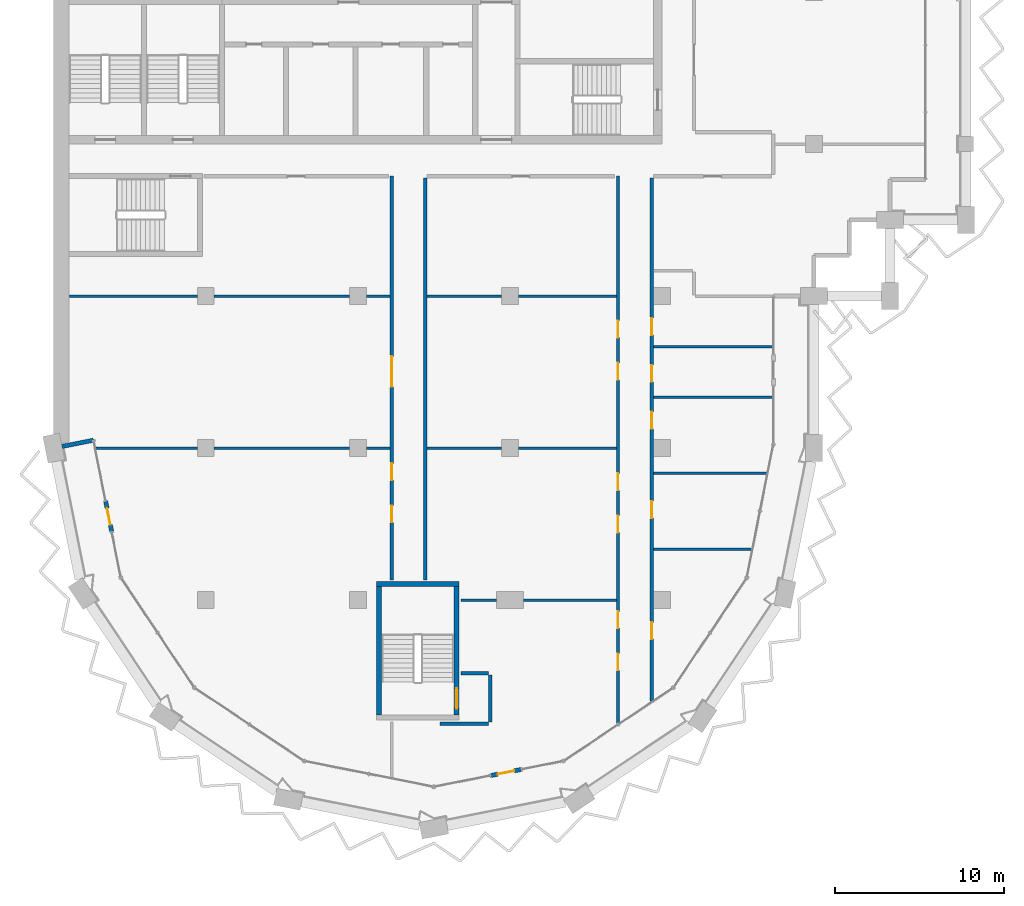
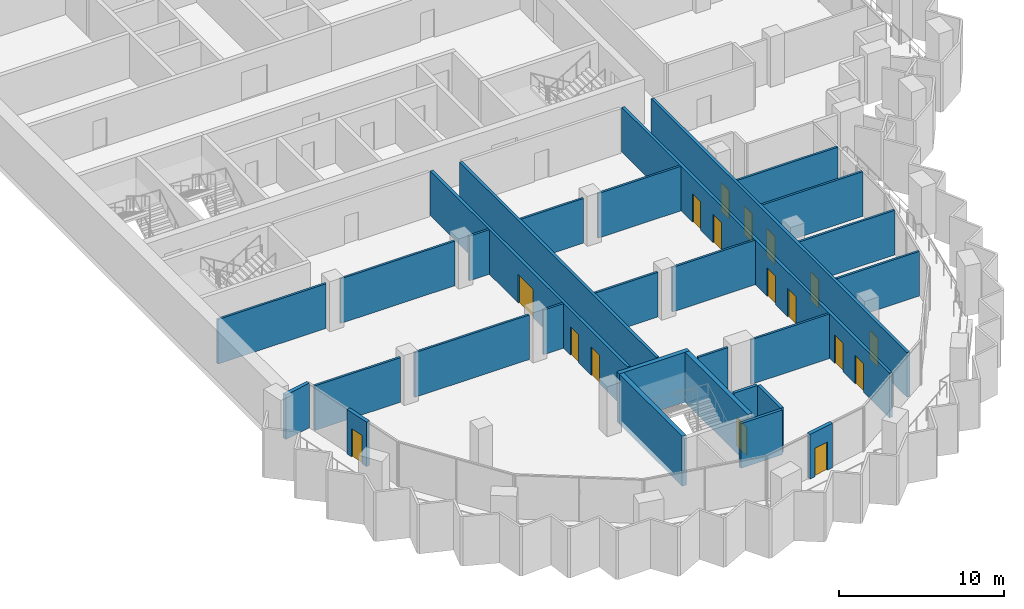
# One storey, part 7 of 16: 29 walls, 17 doors, 17 openings.
"""IFC4 building model written with IfcOpenShell, lengths in metres."""

from ifc_helpers import new_model, si_unit, direction, frame, frame_2d, origin, place, context, subcontext, project, spatial, rectangle, extrude, material, layer, layer_set, type_object, element, fill, save


model = new_model("IFC4")

# Units and contexts
model_context = context("Model", 3, precision=1e-05, world=origin(), true_north=direction((0.0, 1.0)))
body_context = subcontext(model_context, "Body", "Model", "MODEL_VIEW")
ifc_project = project(units=[si_unit("LENGTHUNIT", "METRE"), si_unit("AREAUNIT", "SQUARE_METRE"), si_unit("VOLUMEUNIT", "CUBIC_METRE"), si_unit("PLANEANGLEUNIT", "RADIAN"), si_unit("MASSUNIT", "GRAM", prefix="KILO")], contexts=[model_context])

# Site, building, storey
site_placement = place(None, origin())
site = spatial("IfcSite", under=ifc_project, at=site_placement, CompositionType="ELEMENT")
building_placement = place(site_placement, origin())
building = spatial("IfcBuilding", under=site, at=building_placement, Name="Hunhe Ridgeline Campus", CompositionType="ELEMENT")
storey_placement = place(building_placement, frame((0.0, 0.0, 254.0)))
storey = spatial("IfcBuildingStorey", under=building, at=storey_placement, Name="L65", CompositionType="ELEMENT", Elevation=254.0)

# Walls
ifc_material_1 = material(Name="Concrete C30", Category="concrete")
ifc_layer_1 = layer(ifc_material_1, 0.25)
ifc_layer_set_1 = layer_set([ifc_layer_1], Name="Corner return wall 250 Concrete C30")
wall_type_1 = type_object("IfcWallType", Name="Corner return wall 250 Concrete C30", PredefinedType="SOLIDWALL", material=ifc_layer_set_1)
wall_1_placement = place(storey_placement, frame((0.490234375, 45.098388671875, 0.0), z_axis=(0.0, 0.0, 1.0), x_axis=(0.980836699013, 0.194831644939, 0.0)))
element("IfcWall", 1, at=wall_1_placement, inside=storey, type_object=wall_type_1, Name="Corner return wall 1", PredefinedType="SOLIDWALL", context=body_context, shape_type="SweptSolid", body=[
    extrude(rectangle(XDim=1.90087890625, YDim=0.25, at=frame_2d((0.950439453125, 0.0))), origin(), (0.0, 0.0, 1.0), 3.300048828125),
])
ifc_material_2 = material(Name="Gypsum board partition")
ifc_layer_2 = layer(ifc_material_2, 0.199951171875)
ifc_layer_set_2 = layer_set([ifc_layer_2], Name="Corridor partition 200 gypsum board on steel studs")
wall_type_2 = type_object("IfcWallType", Name="Corridor partition 200 gypsum board on steel studs", PredefinedType="PARTITIONING", material=ifc_layer_set_2)
wall_2_placement = place(storey_placement, frame((25.75, 28.675048828125, 0.0), z_axis=(0.0, 0.0, 1.0), x_axis=(-1.0, 0.0, 0.0)))
element("IfcWall", 2, at=wall_2_placement, inside=storey, type_object=wall_type_2, Name="F-L65-wall-001", PredefinedType="PARTITIONING", context=body_context, shape_type="SweptSolid", body=[
    extrude(rectangle(XDim=2.89990234375, YDim=0.199951171875, at=frame_2d((1.449951171875, 0.0))), origin(), (0.0, 0.0, 1.0), 3.300048828125),
])
wall_3_placement = place(storey_placement, frame((24.10400390625, 31.675048828125, 0.0), z_axis=(0.0, 0.0, 1.0), x_axis=(1.0, 0.0, 0.0)))
element("IfcWall", 3, at=wall_3_placement, inside=storey, type_object=wall_type_2, Name="F-L65-wall-002", PredefinedType="PARTITIONING", context=body_context, shape_type="SweptSolid", body=[
    extrude(rectangle(XDim=1.64599609375, YDim=0.199951171875, at=frame_2d((0.822998046875, 0.0))), origin(), (0.0, 0.0, 1.0), 3.300048828125),
])

# Wall, openings, doors
wall_4_placement = place(storey_placement, frame((20.0, 37.2041015625, 0.0), z_axis=(0.0, 0.0, 1.0), x_axis=(0.0, 1.0, 0.0)))
wall_4 = element("IfcWall", 4, at=wall_4_placement, inside=storey, type_object=wall_type_2, Name="F-L65-wall-033", PredefinedType="PARTITIONING", context=body_context, shape_type="SweptSolid", body=[
    extrude(rectangle(XDim=23.89599609375, YDim=0.199951171875, at=frame_2d((11.947998046875, 0.0))), origin(), (0.0, 0.0, 1.0), 3.300048828125),
])
opening_1_placement = place(wall_4_placement, frame((3.398681640625, 0.0, 0.0)))
opening_1 = element("IfcOpeningElement", 5, at=opening_1_placement, cuts=wall_4, Name="Opening RD1-005", PredefinedType="OPENING", context=body_context, shape_type="SweptSolid", body=[
    extrude(rectangle(XDim=1.0, YDim=2.10009765625, at=frame_2d((0.5, 1.050048828125))), frame((0.0, 0.10009765625, 0.0), z_axis=(0.0, -1.0, 0.0), x_axis=(1.0, 0.0, 0.0)), (0.0, 0.0, 1.0), 0.199951171875),
])
opening_2_placement = place(wall_4_placement, frame((5.898681640625, 0.0, 0.0)))
opening_2 = element("IfcOpeningElement", 6, at=opening_2_placement, cuts=wall_4, Name="Opening RD1-008", PredefinedType="OPENING", context=body_context, shape_type="SweptSolid", body=[
    extrude(rectangle(XDim=1.0, YDim=2.10009765625, at=frame_2d((0.5, 1.050048828125))), frame((0.0, 0.10009765625, 0.0), z_axis=(0.0, -1.0, 0.0), x_axis=(1.0, 0.0, 0.0)), (0.0, 0.0, 1.0), 0.199951171875),
])
opening_3_placement = place(wall_4_placement, frame((11.42529296875, 0.0, 0.0)))
opening_3 = element("IfcOpeningElement", 7, at=opening_3_placement, cuts=wall_4, Name="Opening RD2-011", PredefinedType="OPENING", context=body_context, shape_type="SweptSolid", body=[
    extrude(rectangle(XDim=1.800048828125, YDim=2.10009765625, at=frame_2d((0.89990234375, 1.050048828125))), frame((0.0, 0.10009765625, 0.0), z_axis=(0.0, -1.0, 0.0), x_axis=(1.0, 0.0, 0.0)), (0.0, 0.0, 1.0), 0.199951171875),
])
ifc_material_3 = material(Name="Timber door leaf", Category="wood")
door_type_1 = type_object("IfcDoorType", Name="Double fire door 1800x2100 timber FD60", OperationType="DOUBLE_DOOR_SINGLE_SWING", PredefinedType="DOOR", material=ifc_material_3)
door_1_placement = place(opening_3_placement, origin())
door_1 = element("IfcDoor", 8, at=door_1_placement, inside=storey, type_object=door_type_1, Name="F-L65-door-011", OperationType="DOUBLE_DOOR_SINGLE_SWING", OverallHeight=2.10009765625, OverallWidth=1.800048828125, PredefinedType="DOOR", context=body_context, shape_type="SweptSolid", body=[
    extrude(rectangle(XDim=1.800048828125, YDim=2.10009765625, at=frame_2d((0.89990234375, 1.050048828125))), frame((0.0, 0.02490234375, 0.0), z_axis=(0.0, -1.0, 0.0), x_axis=(1.0, 0.0, 0.0)), (0.0, 0.0, 1.0), 0.050048828125),
])
fill(opening_3, door_1)
door_type_2 = type_object("IfcDoorType", Name="Single fire door 1000x2100 timber FD60", OperationType="NOTDEFINED", PredefinedType="DOOR", material=ifc_material_3)
door_2_placement = place(opening_1_placement, frame((1.0, 0.0, 0.0), z_axis=(0.0, 0.0, 1.0), x_axis=(-1.0, 0.0, 0.0)))
door_2 = element("IfcDoor", 9, at=door_2_placement, inside=storey, type_object=door_type_2, Name="F-L65-door-005", OperationType="SINGLE_SWING_LEFT", OverallHeight=2.10009765625, OverallWidth=1.0, PredefinedType="DOOR", context=body_context, shape_type="SweptSolid", body=[
    extrude(rectangle(XDim=1.0, YDim=2.10009765625, at=frame_2d((0.5, 1.050048828125))), frame((0.0, 0.02490234375, 0.0), z_axis=(0.0, -1.0, 0.0), x_axis=(1.0, 0.0, 0.0)), (0.0, 0.0, 1.0), 0.050048828125),
])
fill(opening_1, door_2)
door_3_placement = place(opening_2_placement, frame((1.0, 0.0, 0.0), z_axis=(0.0, 0.0, 1.0), x_axis=(-1.0, 0.0, 0.0)))
door_3 = element("IfcDoor", 10, at=door_3_placement, inside=storey, type_object=door_type_2, Name="F-L65-door-008", OperationType="SINGLE_SWING_LEFT", OverallHeight=2.10009765625, OverallWidth=1.0, PredefinedType="DOOR", context=body_context, shape_type="SweptSolid", body=[
    extrude(rectangle(XDim=1.0, YDim=2.10009765625, at=frame_2d((0.5, 1.050048828125))), frame((0.0, 0.02490234375, 0.0), z_axis=(0.0, -1.0, 0.0), x_axis=(1.0, 0.0, 0.0)), (0.0, 0.0, 1.0), 0.050048828125),
])
fill(opening_2, door_3)

# Walls
wall_5_placement = place(storey_placement, frame((22.0, 61.0, 0.0), z_axis=(0.0, 0.0, 1.0), x_axis=(0.0, -1.0, 0.0)))
element("IfcWall", 11, at=wall_5_placement, inside=storey, type_object=wall_type_2, Name="F-L65-wall-034", PredefinedType="PARTITIONING", context=body_context, shape_type="SweptSolid", body=[
    extrude(rectangle(XDim=23.7958984375, YDim=0.199951171875, at=frame_2d((11.89794921875, 0.0))), origin(), (0.0, 0.0, 1.0), 3.300048828125),
])
wall_6_placement = place(storey_placement, frame((25.85009765625, 31.574951171875, 0.0), z_axis=(0.0, 0.0, 1.0), x_axis=(0.0, -1.0, 0.0)))
element("IfcWall", 12, at=wall_6_placement, inside=storey, type_object=wall_type_2, Name="F-L65-wall-035", PredefinedType="PARTITIONING", context=body_context, shape_type="SweptSolid", body=[
    extrude(rectangle(XDim=2.800048828125, YDim=0.199951171875, at=frame_2d((1.39990234375, 0.0))), origin(), (0.0, 0.0, 1.0), 3.300048828125),
])

# Wall, openings, doors
wall_7_placement = place(storey_placement, frame((33.39990234375, 28.6953125, 0.0), z_axis=(0.0, 0.0, 1.0), x_axis=(0.0, 1.0, 0.0)))
wall_7 = element("IfcWall", 13, at=wall_7_placement, inside=storey, type_object=wall_type_2, Name="F-L65-wall-036", PredefinedType="PARTITIONING", context=body_context, shape_type="SweptSolid", body=[
    extrude(rectangle(XDim=32.40478515625, YDim=0.199951171875, at=frame_2d((16.202392578125, 0.0))), origin(), (0.0, 0.0, 1.0), 3.300048828125),
])
opening_4_placement = place(wall_7_placement, frame((3.142333984375, 0.0, 0.0)))
opening_4 = element("IfcOpeningElement", 14, at=opening_4_placement, cuts=wall_7, Name="Opening RD1-001", PredefinedType="OPENING", context=body_context, shape_type="SweptSolid", body=[
    extrude(rectangle(XDim=1.0, YDim=2.10009765625, at=frame_2d((0.5, 1.050048828125))), frame((0.0, 0.10009765625, 0.0), z_axis=(0.0, -1.0, 0.0), x_axis=(1.0, 0.0, 0.0)), (0.0, 0.0, 1.0), 0.199951171875),
])
opening_5_placement = place(wall_7_placement, frame((5.642333984375, 0.0, 0.0)))
opening_5 = element("IfcOpeningElement", 15, at=opening_5_placement, cuts=wall_7, Name="Opening RD1-003", PredefinedType="OPENING", context=body_context, shape_type="SweptSolid", body=[
    extrude(rectangle(XDim=1.0, YDim=2.10009765625, at=frame_2d((0.5, 1.050048828125))), frame((0.0, 0.10009765625, 0.0), z_axis=(0.0, -1.0, 0.0), x_axis=(1.0, 0.0, 0.0)), (0.0, 0.0, 1.0), 0.199951171875),
])
opening_6_placement = place(wall_7_placement, frame((11.306396484375, 0.0, 0.0)))
opening_6 = element("IfcOpeningElement", 16, at=opening_6_placement, cuts=wall_7, Name="Opening RD1-004", PredefinedType="OPENING", context=body_context, shape_type="SweptSolid", body=[
    extrude(rectangle(XDim=1.0, YDim=2.10009765625, at=frame_2d((0.5, 1.050048828125))), frame((0.0, 0.10009765625, 0.0), z_axis=(0.0, -1.0, 0.0), x_axis=(1.0, 0.0, 0.0)), (0.0, 0.0, 1.0), 0.199951171875),
])
opening_7_placement = place(wall_7_placement, frame((13.806396484375, 0.0, 0.0)))
opening_7 = element("IfcOpeningElement", 17, at=opening_7_placement, cuts=wall_7, Name="Opening RD1-007", PredefinedType="OPENING", context=body_context, shape_type="SweptSolid", body=[
    extrude(rectangle(XDim=1.0, YDim=2.10009765625, at=frame_2d((0.5, 1.050048828125))), frame((0.0, 0.10009765625, 0.0), z_axis=(0.0, -1.0, 0.0), x_axis=(1.0, 0.0, 0.0)), (0.0, 0.0, 1.0), 0.199951171875),
])
opening_8_placement = place(wall_7_placement, frame((20.349609375, 0.0, 0.0)))
opening_8 = element("IfcOpeningElement", 18, at=opening_8_placement, cuts=wall_7, Name="Opening RD1-012", PredefinedType="OPENING", context=body_context, shape_type="SweptSolid", body=[
    extrude(rectangle(XDim=1.0, YDim=2.10009765625, at=frame_2d((0.5, 1.050048828125))), frame((0.0, 0.10009765625, 0.0), z_axis=(0.0, -1.0, 0.0), x_axis=(1.0, 0.0, 0.0)), (0.0, 0.0, 1.0), 0.199951171875),
])
opening_9_placement = place(wall_7_placement, frame((22.849609375, 0.0, 0.0)))
opening_9 = element("IfcOpeningElement", 19, at=opening_9_placement, cuts=wall_7, Name="Opening RD1-013", PredefinedType="OPENING", context=body_context, shape_type="SweptSolid", body=[
    extrude(rectangle(XDim=1.0, YDim=2.10009765625, at=frame_2d((0.5, 1.050048828125))), frame((0.0, 0.10009765625, 0.0), z_axis=(0.0, -1.0, 0.0), x_axis=(1.0, 0.0, 0.0)), (0.0, 0.0, 1.0), 0.199951171875),
])
door_4_placement = place(opening_4_placement, frame((1.0, 0.0, 0.0), z_axis=(0.0, 0.0, 1.0), x_axis=(-1.0, 0.0, 0.0)))
door_4 = element("IfcDoor", 20, at=door_4_placement, inside=storey, type_object=door_type_2, Name="F-L65-door-001", OperationType="SINGLE_SWING_LEFT", OverallHeight=2.10009765625, OverallWidth=1.0, PredefinedType="DOOR", context=body_context, shape_type="SweptSolid", body=[
    extrude(rectangle(XDim=1.0, YDim=2.10009765625, at=frame_2d((0.5, 1.050048828125))), frame((0.0, 0.02490234375, 0.0), z_axis=(0.0, -1.0, 0.0), x_axis=(1.0, 0.0, 0.0)), (0.0, 0.0, 1.0), 0.050048828125),
])
fill(opening_4, door_4)
door_5_placement = place(opening_5_placement, frame((1.0, 0.0, 0.0), z_axis=(0.0, 0.0, 1.0), x_axis=(-1.0, 0.0, 0.0)))
door_5 = element("IfcDoor", 21, at=door_5_placement, inside=storey, type_object=door_type_2, Name="F-L65-door-003", OperationType="SINGLE_SWING_LEFT", OverallHeight=2.10009765625, OverallWidth=1.0, PredefinedType="DOOR", context=body_context, shape_type="SweptSolid", body=[
    extrude(rectangle(XDim=1.0, YDim=2.10009765625, at=frame_2d((0.5, 1.050048828125))), frame((0.0, 0.02490234375, 0.0), z_axis=(0.0, -1.0, 0.0), x_axis=(1.0, 0.0, 0.0)), (0.0, 0.0, 1.0), 0.050048828125),
])
fill(opening_5, door_5)
door_6_placement = place(opening_6_placement, frame((1.0, 0.0, 0.0), z_axis=(0.0, 0.0, 1.0), x_axis=(-1.0, 0.0, 0.0)))
door_6 = element("IfcDoor", 22, at=door_6_placement, inside=storey, type_object=door_type_2, Name="F-L65-door-004", OperationType="SINGLE_SWING_RIGHT", OverallHeight=2.10009765625, OverallWidth=1.0, PredefinedType="DOOR", context=body_context, shape_type="SweptSolid", body=[
    extrude(rectangle(XDim=1.0, YDim=2.10009765625, at=frame_2d((0.5, 1.050048828125))), frame((0.0, 0.02490234375, 0.0), z_axis=(0.0, -1.0, 0.0), x_axis=(1.0, 0.0, 0.0)), (0.0, 0.0, 1.0), 0.050048828125),
])
fill(opening_6, door_6)
door_7_placement = place(opening_7_placement, frame((1.0, 0.0, 0.0), z_axis=(0.0, 0.0, 1.0), x_axis=(-1.0, 0.0, 0.0)))
door_7 = element("IfcDoor", 23, at=door_7_placement, inside=storey, type_object=door_type_2, Name="F-L65-door-007", OperationType="SINGLE_SWING_LEFT", OverallHeight=2.10009765625, OverallWidth=1.0, PredefinedType="DOOR", context=body_context, shape_type="SweptSolid", body=[
    extrude(rectangle(XDim=1.0, YDim=2.10009765625, at=frame_2d((0.5, 1.050048828125))), frame((0.0, 0.02490234375, 0.0), z_axis=(0.0, -1.0, 0.0), x_axis=(1.0, 0.0, 0.0)), (0.0, 0.0, 1.0), 0.050048828125),
])
fill(opening_7, door_7)
door_8_placement = place(opening_8_placement, frame((1.0, 0.0, 0.0), z_axis=(0.0, 0.0, 1.0), x_axis=(-1.0, 0.0, 0.0)))
door_8 = element("IfcDoor", 24, at=door_8_placement, inside=storey, type_object=door_type_2, Name="F-L65-door-012", OperationType="SINGLE_SWING_LEFT", OverallHeight=2.10009765625, OverallWidth=1.0, PredefinedType="DOOR", context=body_context, shape_type="SweptSolid", body=[
    extrude(rectangle(XDim=1.0, YDim=2.10009765625, at=frame_2d((0.5, 1.050048828125))), frame((0.0, 0.02490234375, 0.0), z_axis=(0.0, -1.0, 0.0), x_axis=(1.0, 0.0, 0.0)), (0.0, 0.0, 1.0), 0.050048828125),
])
fill(opening_8, door_8)
door_9_placement = place(opening_9_placement, frame((1.0, 0.0, 0.0), z_axis=(0.0, 0.0, 1.0), x_axis=(-1.0, 0.0, 0.0)))
door_9 = element("IfcDoor", 25, at=door_9_placement, inside=storey, type_object=door_type_2, Name="F-L65-door-013", OperationType="SINGLE_SWING_LEFT", OverallHeight=2.10009765625, OverallWidth=1.0, PredefinedType="DOOR", context=body_context, shape_type="SweptSolid", body=[
    extrude(rectangle(XDim=1.0, YDim=2.10009765625, at=frame_2d((0.5, 1.050048828125))), frame((0.0, 0.02490234375, 0.0), z_axis=(0.0, -1.0, 0.0), x_axis=(1.0, 0.0, 0.0)), (0.0, 0.0, 1.0), 0.050048828125),
])
fill(opening_9, door_9)

wall_8_placement = place(storey_placement, frame((35.39990234375, 61.0, 0.0), z_axis=(0.0, 0.0, 1.0), x_axis=(0.0, -1.0, 0.0)))
wall_8 = element("IfcWall", 26, at=wall_8_placement, inside=storey, type_object=wall_type_2, Name="F-L65-wall-037", PredefinedType="PARTITIONING", context=body_context, shape_type="SweptSolid", body=[
    extrude(rectangle(XDim=30.968505859375, YDim=0.199951171875, at=frame_2d((15.484375, 0.0))), origin(), (0.0, 0.0, 1.0), 3.300048828125),
])
opening_10_placement = place(wall_8_placement, frame((26.310546875, 0.0, 0.0)))
opening_10 = element("IfcOpeningElement", 27, at=opening_10_placement, cuts=wall_8, Name="Opening RD1-002", PredefinedType="OPENING", context=body_context, shape_type="SweptSolid", body=[
    extrude(rectangle(XDim=1.0, YDim=2.10009765625, at=frame_2d((0.5, 1.050048828125))), frame((0.0, 0.10009765625, 0.0), z_axis=(0.0, -1.0, 0.0), x_axis=(1.0, 0.0, 0.0)), (0.0, 0.0, 1.0), 0.199951171875),
])
opening_11_placement = place(wall_8_placement, frame((19.138427734375, 0.0, 0.0)))
opening_11 = element("IfcOpeningElement", 28, at=opening_11_placement, cuts=wall_8, Name="Opening RD1-006", PredefinedType="OPENING", context=body_context, shape_type="SweptSolid", body=[
    extrude(rectangle(XDim=1.0, YDim=2.10009765625, at=frame_2d((0.5, 1.050048828125))), frame((0.0, 0.10009765625, 0.0), z_axis=(0.0, -1.0, 0.0), x_axis=(1.0, 0.0, 0.0)), (0.0, 0.0, 1.0), 0.199951171875),
])
opening_12_placement = place(wall_8_placement, frame((13.8583984375, 0.0, 0.0)))
opening_12 = element("IfcOpeningElement", 29, at=opening_12_placement, cuts=wall_8, Name="Opening RD1-009", PredefinedType="OPENING", context=body_context, shape_type="SweptSolid", body=[
    extrude(rectangle(XDim=1.0, YDim=2.10009765625, at=frame_2d((0.5, 1.050048828125))), frame((0.0, 0.10009765625, 0.0), z_axis=(0.0, -1.0, 0.0), x_axis=(1.0, 0.0, 0.0)), (0.0, 0.0, 1.0), 0.199951171875),
])
opening_13_placement = place(wall_8_placement, frame((11.081787109375, 0.0, 0.0)))
opening_13 = element("IfcOpeningElement", 30, at=opening_13_placement, cuts=wall_8, Name="Opening RD1-010", PredefinedType="OPENING", context=body_context, shape_type="SweptSolid", body=[
    extrude(rectangle(XDim=1.0, YDim=2.10009765625, at=frame_2d((0.5, 1.050048828125))), frame((0.0, 0.10009765625, 0.0), z_axis=(0.0, -1.0, 0.0), x_axis=(1.0, 0.0, 0.0)), (0.0, 0.0, 1.0), 0.199951171875),
])
opening_14_placement = place(wall_8_placement, frame((8.30517578125, 0.0, 0.0)))
opening_14 = element("IfcOpeningElement", 31, at=opening_14_placement, cuts=wall_8, Name="Opening RD1-014", PredefinedType="OPENING", context=body_context, shape_type="SweptSolid", body=[
    extrude(rectangle(XDim=1.0, YDim=2.10009765625, at=frame_2d((0.5, 1.050048828125))), frame((0.0, 0.10009765625, 0.0), z_axis=(0.0, -1.0, 0.0), x_axis=(1.0, 0.0, 0.0)), (0.0, 0.0, 1.0), 0.199951171875),
])
door_10_placement = place(opening_10_placement, origin())
door_10 = element("IfcDoor", 32, at=door_10_placement, inside=storey, type_object=door_type_2, Name="F-L65-door-002", OperationType="SINGLE_SWING_RIGHT", OverallHeight=2.10009765625, OverallWidth=1.0, PredefinedType="DOOR", context=body_context, shape_type="SweptSolid", body=[
    extrude(rectangle(XDim=1.0, YDim=2.10009765625, at=frame_2d((0.5, 1.050048828125))), frame((0.0, 0.02490234375, 0.0), z_axis=(0.0, -1.0, 0.0), x_axis=(1.0, 0.0, 0.0)), (0.0, 0.0, 1.0), 0.050048828125),
])
fill(opening_10, door_10)
door_11_placement = place(opening_11_placement, origin())
door_11 = element("IfcDoor", 33, at=door_11_placement, inside=storey, type_object=door_type_2, Name="F-L65-door-006", OperationType="SINGLE_SWING_LEFT", OverallHeight=2.10009765625, OverallWidth=1.0, PredefinedType="DOOR", context=body_context, shape_type="SweptSolid", body=[
    extrude(rectangle(XDim=1.0, YDim=2.10009765625, at=frame_2d((0.5, 1.050048828125))), frame((0.0, 0.02490234375, 0.0), z_axis=(0.0, -1.0, 0.0), x_axis=(1.0, 0.0, 0.0)), (0.0, 0.0, 1.0), 0.050048828125),
])
fill(opening_11, door_11)
door_12_placement = place(opening_12_placement, origin())
door_12 = element("IfcDoor", 34, at=door_12_placement, inside=storey, type_object=door_type_2, Name="F-L65-door-009", OperationType="SINGLE_SWING_LEFT", OverallHeight=2.10009765625, OverallWidth=1.0, PredefinedType="DOOR", context=body_context, shape_type="SweptSolid", body=[
    extrude(rectangle(XDim=1.0, YDim=2.10009765625, at=frame_2d((0.5, 1.050048828125))), frame((0.0, 0.02490234375, 0.0), z_axis=(0.0, -1.0, 0.0), x_axis=(1.0, 0.0, 0.0)), (0.0, 0.0, 1.0), 0.050048828125),
])
fill(opening_12, door_12)
door_13_placement = place(opening_13_placement, origin())
door_13 = element("IfcDoor", 35, at=door_13_placement, inside=storey, type_object=door_type_2, Name="F-L65-door-010", OperationType="SINGLE_SWING_LEFT", OverallHeight=2.10009765625, OverallWidth=1.0, PredefinedType="DOOR", context=body_context, shape_type="SweptSolid", body=[
    extrude(rectangle(XDim=1.0, YDim=2.10009765625, at=frame_2d((0.5, 1.050048828125))), frame((0.0, 0.02490234375, 0.0), z_axis=(0.0, -1.0, 0.0), x_axis=(1.0, 0.0, 0.0)), (0.0, 0.0, 1.0), 0.050048828125),
])
fill(opening_13, door_13)
door_14_placement = place(opening_14_placement, origin())
door_14 = element("IfcDoor", 36, at=door_14_placement, inside=storey, type_object=door_type_2, Name="F-L65-door-014", OperationType="SINGLE_SWING_RIGHT", OverallHeight=2.10009765625, OverallWidth=1.0, PredefinedType="DOOR", context=body_context, shape_type="SweptSolid", body=[
    extrude(rectangle(XDim=1.0, YDim=2.10009765625, at=frame_2d((0.5, 1.050048828125))), frame((0.0, 0.02490234375, 0.0), z_axis=(0.0, -1.0, 0.0), x_axis=(1.0, 0.0, 0.0)), (0.0, 0.0, 1.0), 0.050048828125),
])
fill(opening_14, door_14)

# Wall, opening, door
ifc_layer_3 = layer(ifc_material_1, 0.25)
ifc_layer_set_3 = layer_set([ifc_layer_3], Name="Loggia door pier wall 250 Concrete C30")
wall_type_3 = type_object("IfcWallType", Name="Loggia door pier wall 250 Concrete C30", PredefinedType="SOLIDWALL", material=ifc_layer_set_3)
wall_9_placement = place(storey_placement, frame((3.076904296875, 41.8388671875, 0.0), z_axis=(0.0, 0.0, 1.0), x_axis=(0.195046569833, -0.980793982239, 0.0)))
wall_9 = element("IfcWall", 37, at=wall_9_placement, inside=storey, type_object=wall_type_3, Name="Loggia door pier 1", PredefinedType="SOLIDWALL", context=body_context, shape_type="SweptSolid", body=[
    extrude(rectangle(XDim=1.800048828125, YDim=0.25, at=frame_2d((0.89990234375, 0.0))), origin(), (0.0, 0.0, 1.0), 3.300048828125),
])
opening_15_placement = place(wall_9_placement, frame((0.39990234375, 0.0, 0.0)))
opening_15 = element("IfcOpeningElement", 38, at=opening_15_placement, cuts=wall_9, Name="Opening BD501", PredefinedType="OPENING", context=body_context, shape_type="SweptSolid", body=[
    extrude(rectangle(XDim=1.0, YDim=2.10009765625, at=frame_2d((0.5, 1.050048828125))), frame((0.0, 0.125, 0.0), z_axis=(0.0, -1.0, 0.0), x_axis=(1.0, 0.0, 0.0)), (0.0, 0.0, 1.0), 0.25),
])
ifc_material_4 = material(Name="Aluminium 6063", Category="aluminium")
door_type_3 = type_object("IfcDoorType", Name="Loggia glazed door 1000x2100", OperationType="NOTDEFINED", PredefinedType="DOOR", material=ifc_material_4)
door_15_placement = place(opening_15_placement, frame((1.0, 0.0, 0.0), z_axis=(0.0, 0.0, 1.0), x_axis=(-1.0, 0.0, 0.0)))
door_15 = element("IfcDoor", 39, at=door_15_placement, inside=storey, type_object=door_type_3, Name="Loggia door BD501", OperationType="SINGLE_SWING_RIGHT", OverallHeight=2.10009765625, OverallWidth=1.0, PredefinedType="DOOR", context=body_context, shape_type="SweptSolid", body=[
    extrude(rectangle(XDim=1.0, YDim=2.10009765625, at=frame_2d((0.5, 1.050048828125))), frame((0.0, 0.02490234375, 0.0), z_axis=(0.0, -1.0, 0.0), x_axis=(1.0, 0.0, 0.0)), (0.0, 0.0, 1.0), 0.050048828125),
])
fill(opening_15, door_15)

wall_10_placement = place(storey_placement, frame((25.8955078125, 25.62353515625, 0.0), z_axis=(0.0, 0.0, 1.0), x_axis=(0.980793982239, 0.195046569833, 0.0)))
wall_10 = element("IfcWall", 40, at=wall_10_placement, inside=storey, type_object=wall_type_3, Name="Loggia door pier 2", PredefinedType="SOLIDWALL", context=body_context, shape_type="SweptSolid", body=[
    extrude(rectangle(XDim=1.800048828125, YDim=0.25, at=frame_2d((0.89990234375, 0.0))), origin(), (0.0, 0.0, 1.0), 3.300048828125),
])
opening_16_placement = place(wall_10_placement, frame((0.39990234375, 0.0, 0.0)))
opening_16 = element("IfcOpeningElement", 41, at=opening_16_placement, cuts=wall_10, Name="Opening BD503", PredefinedType="OPENING", context=body_context, shape_type="SweptSolid", body=[
    extrude(rectangle(XDim=1.0, YDim=2.10009765625, at=frame_2d((0.5, 1.050048828125))), frame((0.0, 0.125, 0.0), z_axis=(0.0, -1.0, 0.0), x_axis=(1.0, 0.0, 0.0)), (0.0, 0.0, 1.0), 0.25),
])
door_16_placement = place(opening_16_placement, frame((1.0, 0.0, 0.0), z_axis=(0.0, 0.0, 1.0), x_axis=(-1.0, 0.0, 0.0)))
door_16 = element("IfcDoor", 42, at=door_16_placement, inside=storey, type_object=door_type_3, Name="Loggia door BD503", OperationType="SINGLE_SWING_RIGHT", OverallHeight=2.10009765625, OverallWidth=1.0, PredefinedType="DOOR", context=body_context, shape_type="SweptSolid", body=[
    extrude(rectangle(XDim=1.0, YDim=2.10009765625, at=frame_2d((0.5, 1.050048828125))), frame((0.0, 0.02490234375, 0.0), z_axis=(0.0, -1.0, 0.0), x_axis=(1.0, 0.0, 0.0)), (0.0, 0.0, 1.0), 0.050048828125),
])
fill(opening_16, door_16)

# Walls
ifc_layer_4 = layer(ifc_material_2, 0.14990234375)
ifc_layer_set_4 = layer_set([ifc_layer_4], Name="Room partition 150 gypsum board on steel studs")
wall_type_4 = type_object("IfcWallType", Name="Room partition 150 gypsum board on steel studs", PredefinedType="PARTITIONING", material=ifc_layer_set_4)
wall_11_placement = place(storey_placement, frame((24.10400390625, 36.0, 0.0), z_axis=(0.0, 0.0, 1.0), x_axis=(1.0, 0.0, 0.0)))
element("IfcWall", 43, at=wall_11_placement, inside=storey, type_object=wall_type_4, Name="F-L65-wall-003", PredefinedType="PARTITIONING", context=body_context, shape_type="SweptSolid", body=[
    extrude(rectangle(XDim=2.095947265625, YDim=0.14990234375, at=frame_2d((1.0478515625, 0.0))), origin(), (0.0, 0.0, 1.0), 3.300048828125),
])
wall_12_placement = place(storey_placement, frame((27.800048828125, 36.0, 0.0), z_axis=(0.0, 0.0, 1.0), x_axis=(1.0, 0.0, 0.0)))
element("IfcWall", 44, at=wall_12_placement, inside=storey, type_object=wall_type_4, Name="F-L65-wall-004", PredefinedType="PARTITIONING", context=body_context, shape_type="SweptSolid", body=[
    extrude(rectangle(XDim=5.5, YDim=0.14990234375, at=frame_2d((2.75, 0.0))), origin(), (0.0, 0.0, 1.0), 3.300048828125),
])
wall_13_placement = place(storey_placement, frame((35.5, 39.0, 0.0), z_axis=(0.0, 0.0, 1.0), x_axis=(1.0, 0.0, 0.0)))
element("IfcWall", 45, at=wall_13_placement, inside=storey, type_object=wall_type_4, Name="F-L65-wall-005", PredefinedType="PARTITIONING", context=body_context, shape_type="SweptSolid", body=[
    extrude(rectangle(XDim=5.803466796875, YDim=0.14990234375, at=frame_2d((2.90185546875, 0.0))), origin(), (0.0, 0.0, 1.0), 3.300048828125),
])
wall_14_placement = place(storey_placement, frame((35.5, 43.5, 0.0), z_axis=(0.0, 0.0, 1.0), x_axis=(1.0, 0.0, 0.0)))
element("IfcWall", 46, at=wall_14_placement, inside=storey, type_object=wall_type_4, Name="F-L65-wall-006", PredefinedType="PARTITIONING", context=body_context, shape_type="SweptSolid", body=[
    extrude(rectangle(XDim=6.698486328125, YDim=0.14990234375, at=frame_2d((3.34912109375, 0.0))), origin(), (0.0, 0.0, 1.0), 3.300048828125),
])
wall_15_placement = place(storey_placement, frame((2.503173828125, 45.0, 0.0), z_axis=(0.0, 0.0, 1.0), x_axis=(1.0, 0.0, 0.0)))
element("IfcWall", 47, at=wall_15_placement, inside=storey, type_object=wall_type_4, Name="F-L65-wall-007", PredefinedType="PARTITIONING", context=body_context, shape_type="SweptSolid", body=[
    extrude(rectangle(XDim=5.996826171875, YDim=0.14990234375, at=frame_2d((2.99853515625, 0.0))), origin(), (0.0, 0.0, 1.0), 3.300048828125),
])
wall_16_placement = place(storey_placement, frame((9.5, 45.0, 0.0), z_axis=(0.0, 0.0, 1.0), x_axis=(1.0, 0.0, 0.0)))
element("IfcWall", 48, at=wall_16_placement, inside=storey, type_object=wall_type_4, Name="F-L65-wall-008", PredefinedType="PARTITIONING", context=body_context, shape_type="SweptSolid", body=[
    extrude(rectangle(XDim=8.0, YDim=0.14990234375, at=frame_2d((4.0, 0.0))), origin(), (0.0, 0.0, 1.0), 3.300048828125),
])
wall_17_placement = place(storey_placement, frame((18.5, 45.0, 0.0), z_axis=(0.0, 0.0, 1.0), x_axis=(1.0, 0.0, 0.0)))
element("IfcWall", 49, at=wall_17_placement, inside=storey, type_object=wall_type_4, Name="F-L65-wall-009", PredefinedType="PARTITIONING", context=body_context, shape_type="SweptSolid", body=[
    extrude(rectangle(XDim=1.39990234375, YDim=0.14990234375, at=frame_2d((0.699951171875, 0.0))), origin(), (0.0, 0.0, 1.0), 3.300048828125),
])
wall_18_placement = place(storey_placement, frame((22.10009765625, 45.0, 0.0), z_axis=(0.0, 0.0, 1.0), x_axis=(1.0, 0.0, 0.0)))
element("IfcWall", 50, at=wall_18_placement, inside=storey, type_object=wall_type_4, Name="F-L65-wall-010", PredefinedType="PARTITIONING", context=body_context, shape_type="SweptSolid", body=[
    extrude(rectangle(XDim=4.39990234375, YDim=0.14990234375, at=frame_2d((2.199951171875, 0.0))), origin(), (0.0, 0.0, 1.0), 3.300048828125),
])
wall_19_placement = place(storey_placement, frame((27.5, 45.0, 0.0), z_axis=(0.0, 0.0, 1.0), x_axis=(1.0, 0.0, 0.0)))
element("IfcWall", 51, at=wall_19_placement, inside=storey, type_object=wall_type_4, Name="F-L65-wall-011", PredefinedType="PARTITIONING", context=body_context, shape_type="SweptSolid", body=[
    extrude(rectangle(XDim=5.800048828125, YDim=0.14990234375, at=frame_2d((2.89990234375, 0.0))), origin(), (0.0, 0.0, 1.0), 3.300048828125),
])
for number, where, z_axis, x_axis, name in (
    (52, (35.5, 48.0, 0.0), (0.0, 0.0, 1.0), (1.0, 0.0, 0.0), "F-L65-wall-012"),
    (53, (35.5, 51.0, 0.0), (0.0, 0.0, 1.0), (1.0, 0.0, 0.0), "F-L65-wall-013"),
):
    element("IfcWall", number, at=place(storey_placement, frame(where, z_axis=z_axis, x_axis=x_axis)), inside=storey, type_object=wall_type_4, Name=name, PredefinedType="PARTITIONING", context=body_context, shape_type="SweptSolid", body=[
        extrude(rectangle(XDim=7.045166015625, YDim=0.14990234375, at=frame_2d((3.5224609375, 0.0))), origin(), (0.0, 0.0, 1.0), 3.300048828125),
    ])
wall_20_placement = place(storey_placement, frame((0.919921875, 54.0, 0.0), z_axis=(0.0, 0.0, 1.0), x_axis=(1.0, 0.0, 0.0)))
element("IfcWall", 54, at=wall_20_placement, inside=storey, type_object=wall_type_4, Name="F-L65-wall-014", PredefinedType="PARTITIONING", context=body_context, shape_type="SweptSolid", body=[
    extrude(rectangle(XDim=7.580078125, YDim=0.14990234375, at=frame_2d((3.7900390625, 0.0))), origin(), (0.0, 0.0, 1.0), 3.300048828125),
])
wall_21_placement = place(storey_placement, frame((9.5, 54.0, 0.0), z_axis=(0.0, 0.0, 1.0), x_axis=(1.0, 0.0, 0.0)))
element("IfcWall", 55, at=wall_21_placement, inside=storey, type_object=wall_type_4, Name="F-L65-wall-015", PredefinedType="PARTITIONING", context=body_context, shape_type="SweptSolid", body=[
    extrude(rectangle(XDim=8.0, YDim=0.14990234375, at=frame_2d((4.0, 0.0))), origin(), (0.0, 0.0, 1.0), 3.300048828125),
])
wall_22_placement = place(storey_placement, frame((18.5, 54.0, 0.0), z_axis=(0.0, 0.0, 1.0), x_axis=(1.0, 0.0, 0.0)))
element("IfcWall", 56, at=wall_22_placement, inside=storey, type_object=wall_type_4, Name="F-L65-wall-016", PredefinedType="PARTITIONING", context=body_context, shape_type="SweptSolid", body=[
    extrude(rectangle(XDim=1.39990234375, YDim=0.14990234375, at=frame_2d((0.699951171875, 0.0))), origin(), (0.0, 0.0, 1.0), 3.300048828125),
])
wall_23_placement = place(storey_placement, frame((22.10009765625, 54.0, 0.0), z_axis=(0.0, 0.0, 1.0), x_axis=(1.0, 0.0, 0.0)))
element("IfcWall", 57, at=wall_23_placement, inside=storey, type_object=wall_type_4, Name="F-L65-wall-017", PredefinedType="PARTITIONING", context=body_context, shape_type="SweptSolid", body=[
    extrude(rectangle(XDim=4.39990234375, YDim=0.14990234375, at=frame_2d((2.199951171875, 0.0))), origin(), (0.0, 0.0, 1.0), 3.300048828125),
])
wall_24_placement = place(storey_placement, frame((27.5, 54.0, 0.0), z_axis=(0.0, 0.0, 1.0), x_axis=(1.0, 0.0, 0.0)))
element("IfcWall", 58, at=wall_24_placement, inside=storey, type_object=wall_type_4, Name="F-L65-wall-018", PredefinedType="PARTITIONING", context=body_context, shape_type="SweptSolid", body=[
    extrude(rectangle(XDim=5.800048828125, YDim=0.14990234375, at=frame_2d((2.89990234375, 0.0))), origin(), (0.0, 0.0, 1.0), 3.300048828125),
])
ifc_material_5 = material(Name="Concrete C50", Category="concrete")
ifc_layer_5 = layer(ifc_material_5, 0.300048828125)
ifc_layer_set_5 = layer_set([ifc_layer_5], Name="Stair wall 300 reinforced concrete C50")
wall_type_5 = type_object("IfcWallType", Name="Stair wall 300 reinforced concrete C50", PredefinedType="SOLIDWALL", material=ifc_layer_set_5)
wall_25_placement = place(storey_placement, frame((19.10009765625, 36.949951171875, -0.39990234375), z_axis=(0.0, 0.0, 1.0), x_axis=(1.0, 0.0, 0.0)))
element("IfcWall", 59, at=wall_25_placement, inside=storey, type_object=wall_type_5, Name="L65 core wall 2", PredefinedType="SOLIDWALL", context=body_context, shape_type="SweptSolid", body=[
    extrude(rectangle(XDim=4.89990234375, YDim=0.300048828125, at=frame_2d((2.449951171875, 0.0))), origin(), (0.0, 0.0, 1.0), 3.699951171875),
])
wall_26_placement = place(storey_placement, frame((19.25, 29.199951171875, -0.39990234375), z_axis=(0.0, 0.0, 1.0), x_axis=(0.0, 1.0, 0.0)))
element("IfcWall", 60, at=wall_26_placement, inside=storey, type_object=wall_type_5, Name="L65 core wall 37", PredefinedType="SOLIDWALL", context=body_context, shape_type="SweptSolid", body=[
    extrude(rectangle(XDim=7.60009765625, YDim=0.300048828125, at=frame_2d((3.800048828125, 0.0))), origin(), (0.0, 0.0, 1.0), 3.699951171875),
])

# Wall, opening, door
wall_27_placement = place(storey_placement, frame((23.85009765625, 29.199951171875, -0.39990234375), z_axis=(0.0, 0.0, 1.0), x_axis=(0.0, 1.0, 0.0)))
wall_27 = element("IfcWall", 61, at=wall_27_placement, inside=storey, type_object=wall_type_5, Name="L65 core wall 42", PredefinedType="SOLIDWALL", context=body_context, shape_type="SweptSolid", body=[
    extrude(rectangle(XDim=7.60009765625, YDim=0.300048828125, at=frame_2d((3.800048828125, 0.0))), origin(), (0.0, 0.0, 1.0), 3.699951171875),
])
opening_17_placement = place(wall_27_placement, frame((0.375, 0.0, 0.39990234375)))
opening_17 = element("IfcOpeningElement", 62, at=opening_17_placement, cuts=wall_27, Name="Opening CD23", PredefinedType="OPENING", context=body_context, shape_type="SweptSolid", body=[
    extrude(rectangle(XDim=1.199951171875, YDim=2.10009765625, at=frame_2d((0.60009765625, 1.050048828125))), frame((0.0, 0.14990234375, 0.0), z_axis=(0.0, -1.0, 0.0), x_axis=(1.0, 0.0, 0.0)), (0.0, 0.0, 1.0), 0.300048828125),
])
ifc_material_6 = material(Name="Hollow metal fire door leaf")
door_type_4 = type_object("IfcDoorType", Name="Stair door 1200x2100 FD60", OperationType="SINGLE_SWING_LEFT", PredefinedType="DOOR", material=ifc_material_6)
door_17_placement = place(opening_17_placement, frame((1.199951171875, 0.0, 0.0), z_axis=(0.0, 0.0, 1.0), x_axis=(-1.0, 0.0, 0.0)))
door_17 = element("IfcDoor", 63, at=door_17_placement, inside=storey, type_object=door_type_4, Name="L65 door W3", OperationType="SINGLE_SWING_LEFT", OverallHeight=2.10009765625, OverallWidth=1.199951171875, PredefinedType="DOOR", context=body_context, shape_type="SweptSolid", body=[
    extrude(rectangle(XDim=1.199951171875, YDim=2.10009765625, at=frame_2d((0.60009765625, 1.050048828125))), frame((0.0, 0.02490234375, 0.0), z_axis=(0.0, -1.0, 0.0), x_axis=(1.0, 0.0, 0.0)), (0.0, 0.0, 1.0), 0.050048828125),
])
fill(opening_17, door_17)

save(model, "model.ifc")
